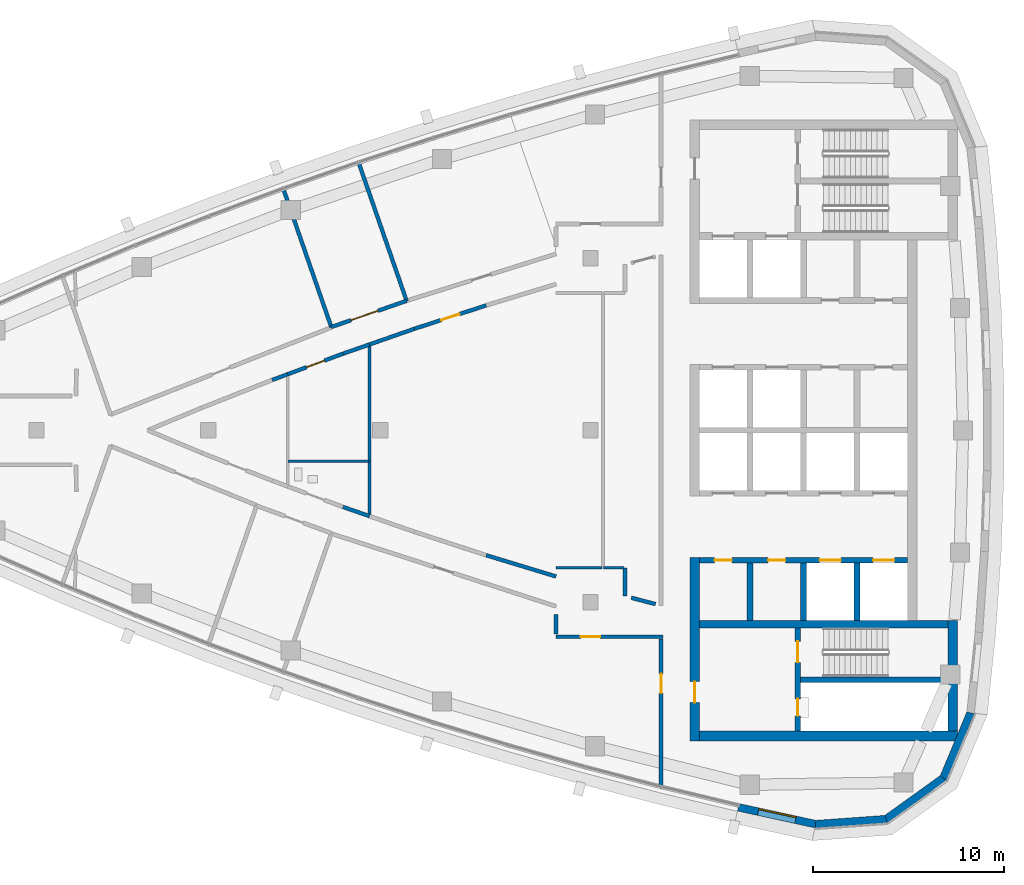
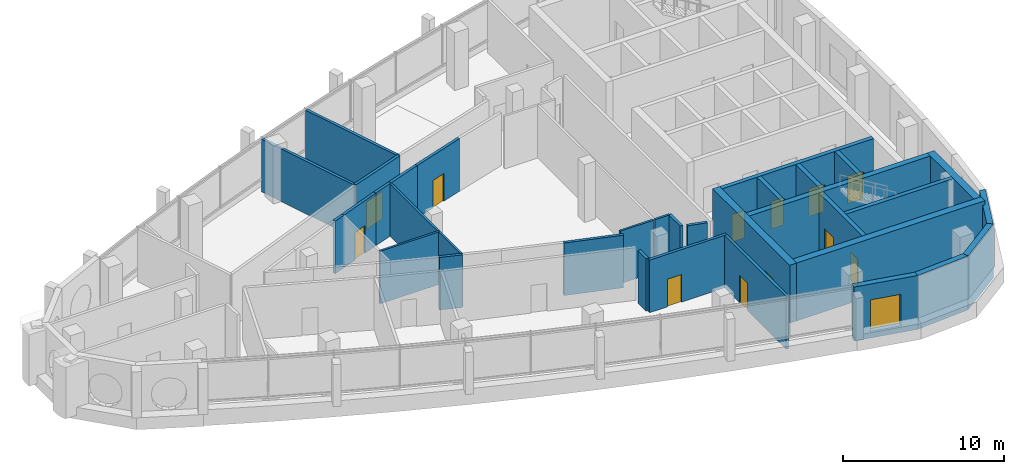
# One storey, part 8 of 15: 33 walls, 12 doors, 1 window, 13 openings.
"""IFC4 building model written with IfcOpenShell, lengths in metres."""

from ifc_helpers import new_model, si_unit, direction, frame, frame_2d, origin, place, context, subcontext, project, spatial, polyline, rectangle, outline, extrude, material, layer, layer_set, type_object, element, fill, save


model = new_model("IFC4")

# Units and contexts
model_context = context("Model", 3, precision=1e-05, world=origin(), true_north=direction((0.0, 1.0)))
body_context = subcontext(model_context, "Body", "Model", "MODEL_VIEW")
ifc_project = project(units=[si_unit("LENGTHUNIT", "METRE"), si_unit("AREAUNIT", "SQUARE_METRE"), si_unit("VOLUMEUNIT", "CUBIC_METRE"), si_unit("PLANEANGLEUNIT", "RADIAN"), si_unit("MASSUNIT", "GRAM", prefix="KILO")], contexts=[model_context])

# Site, building, storey
site_placement = place(None, origin())
site = spatial("IfcSite", under=ifc_project, at=site_placement, CompositionType="ELEMENT")
building_placement = place(site_placement, origin())
building = spatial("IfcBuilding", under=site, at=building_placement, Name="Ostrand Prow Hotel Tower", CompositionType="ELEMENT")
storey_placement = place(building_placement, frame((0.0, 0.0, 318.60009765625)))
storey = spatial("IfcBuildingStorey", under=building, at=storey_placement, Name="C3", CompositionType="ELEMENT", Elevation=318.60009765625)

# Wall, openings, doors
ifc_material_1 = material(Name="Concrete C40/50", Category="concrete")
ifc_layer_1 = layer(ifc_material_1, 0.300048828125)
ifc_layer_set_1 = layer_set([ifc_layer_1], Name="Concrete C40/50")
wall_type_1 = type_object("IfcWallType", Name="Core wall 300 C40/50", PredefinedType="SHEAR", material=ifc_layer_set_1)
wall_1_placement = place(storey_placement, frame((50.699951171875, -6.800048828125, 0.0), z_axis=(0.0, 0.0, 1.0), x_axis=(1.0, 0.0, 0.0)))
wall_1 = element("IfcWall", 1, at=wall_1_placement, inside=storey, type_object=wall_type_1, Name="Core wall PW-L2-S", PredefinedType="SHEAR", context=body_context, shape_type="SweptSolid", body=[
    extrude(rectangle(XDim=10.900146484375, YDim=0.300048828125, at=frame_2d((5.4501953125, 0.0))), origin(), (0.0, 0.0, 1.0), 4.39990234375),
])
opening_1_placement = place(wall_1_placement, frame((6.300048828125, 0.0, 0.0)))
opening_1 = element("IfcOpeningElement", 2, at=opening_1_placement, cuts=wall_1, Name="Opening LD", PredefinedType="OPENING", context=body_context, shape_type="SweptSolid", body=[
    extrude(rectangle(XDim=1.10009765625, YDim=2.10009765625, at=frame_2d((0.550048828125, 1.050048828125))), frame((0.0, 0.159912109375, 0.0), z_axis=(0.0, -1.0, 0.0), x_axis=(1.0, 0.0, 0.0)), (0.0, 0.0, 1.0), 0.320068359375),
])
opening_2_placement = place(wall_1_placement, frame((9.10009765625, 0.0, 0.0)))
opening_2 = element("IfcOpeningElement", 3, at=opening_2_placement, cuts=wall_1, Name="Opening LD", PredefinedType="OPENING", context=body_context, shape_type="SweptSolid", body=[
    extrude(rectangle(XDim=1.10009765625, YDim=2.10009765625, at=frame_2d((0.550048828125, 1.050048828125))), frame((0.0, 0.159912109375, 0.0), z_axis=(0.0, -1.0, 0.0), x_axis=(1.0, 0.0, 0.0)), (0.0, 0.0, 1.0), 0.320068359375),
])
opening_3_placement = place(wall_1_placement, frame((0.800048828125, 0.0, 0.0)))
opening_3 = element("IfcOpeningElement", 4, at=opening_3_placement, cuts=wall_1, Name="Opening FD2", PredefinedType="OPENING", context=body_context, shape_type="SweptSolid", body=[
    extrude(rectangle(XDim=0.89990234375, YDim=2.10009765625, at=frame_2d((0.449951171875, 1.050048828125))), frame((0.0, 0.159912109375, 0.0), z_axis=(0.0, -1.0, 0.0), x_axis=(1.0, 0.0, 0.0)), (0.0, 0.0, 1.0), 0.320068359375),
])
opening_4_placement = place(wall_1_placement, frame((3.60009765625, 0.0, 0.0)))
opening_4 = element("IfcOpeningElement", 5, at=opening_4_placement, cuts=wall_1, Name="Opening FD2", PredefinedType="OPENING", context=body_context, shape_type="SweptSolid", body=[
    extrude(rectangle(XDim=0.89990234375, YDim=2.10009765625, at=frame_2d((0.449951171875, 1.050048828125))), frame((0.0, 0.159912109375, 0.0), z_axis=(0.0, -1.0, 0.0), x_axis=(1.0, 0.0, 0.0)), (0.0, 0.0, 1.0), 0.320068359375),
])
ifc_material_2 = material(Name="Steel fire door", Category="steel")
door_type_1 = type_object("IfcDoorType", Name="Fire door 900 EI120", OperationType="SINGLE_SWING_LEFT", PredefinedType="DOOR", material=ifc_material_2)
door_1_placement = place(opening_3_placement, origin())
door_1 = element("IfcDoor", 6, at=door_1_placement, inside=storey, type_object=door_type_1, Name="DOOR", OperationType="SINGLE_SWING_LEFT", OverallHeight=2.10009765625, OverallWidth=0.89990234375, PredefinedType="DOOR", context=body_context, shape_type="SweptSolid", body=[
    extrude(rectangle(XDim=0.89990234375, YDim=2.10009765625, at=frame_2d((0.449951171875, 1.050048828125))), frame((0.0, 0.02490234375, 0.0), z_axis=(0.0, -1.0, 0.0), x_axis=(1.0, 0.0, 0.0)), (0.0, 0.0, 1.0), 0.050048828125),
])
fill(opening_3, door_1)
door_2_placement = place(opening_4_placement, origin())
door_2 = element("IfcDoor", 7, at=door_2_placement, inside=storey, type_object=door_type_1, Name="DOOR", OperationType="SINGLE_SWING_LEFT", OverallHeight=2.10009765625, OverallWidth=0.89990234375, PredefinedType="DOOR", context=body_context, shape_type="SweptSolid", body=[
    extrude(rectangle(XDim=0.89990234375, YDim=2.10009765625, at=frame_2d((0.449951171875, 1.050048828125))), frame((0.0, 0.02490234375, 0.0), z_axis=(0.0, -1.0, 0.0), x_axis=(1.0, 0.0, 0.0)), (0.0, 0.0, 1.0), 0.050048828125),
])
fill(opening_4, door_2)
ifc_material_3 = material(Name="Stainless steel door", Category="steel")
door_type_2 = type_object("IfcDoorType", Name="Lift landing door 1100", OperationType="DOUBLE_DOOR_SLIDING", PredefinedType="DOOR", material=ifc_material_3)
door_3_placement = place(opening_1_placement, origin())
door_3 = element("IfcDoor", 8, at=door_3_placement, inside=storey, type_object=door_type_2, Name="LIFT LANDING DOOR", OperationType="DOUBLE_DOOR_SLIDING", OverallHeight=2.10009765625, OverallWidth=1.10009765625, PredefinedType="DOOR", context=body_context, shape_type="SweptSolid", body=[
    extrude(rectangle(XDim=1.10009765625, YDim=2.10009765625, at=frame_2d((0.550048828125, 1.050048828125))), frame((0.0, 0.02490234375, 0.0), z_axis=(0.0, -1.0, 0.0), x_axis=(1.0, 0.0, 0.0)), (0.0, 0.0, 1.0), 0.050048828125),
])
fill(opening_1, door_3)
door_4_placement = place(opening_2_placement, origin())
door_4 = element("IfcDoor", 9, at=door_4_placement, inside=storey, type_object=door_type_2, Name="LIFT LANDING DOOR", OperationType="DOUBLE_DOOR_SLIDING", OverallHeight=2.10009765625, OverallWidth=1.10009765625, PredefinedType="DOOR", context=body_context, shape_type="SweptSolid", body=[
    extrude(rectangle(XDim=1.10009765625, YDim=2.10009765625, at=frame_2d((0.550048828125, 1.050048828125))), frame((0.0, 0.02490234375, 0.0), z_axis=(0.0, -1.0, 0.0), x_axis=(1.0, 0.0, 0.0)), (0.0, 0.0, 1.0), 0.050048828125),
])
fill(opening_2, door_4)

# Walls
for number, where, z_axis, x_axis, name in (
    (10, (53.35009765625, -9.949951171875, 0.0), (0.0, 0.0, 1.0), (0.0, 1.0, 0.0), "Core wall PW-R1-SA"),
    (11, (56.14990234375, -9.949951171875, 0.0), (0.0, 0.0, 1.0), (0.0, 1.0, 0.0), "Core wall PW-R2-SA"),
    (12, (58.949951171875, -9.949951171875, 0.0), (0.0, 0.0, 1.0), (0.0, 1.0, 0.0), "Core wall PW-R3-SA"),
):
    element("IfcWall", number, at=place(storey_placement, frame(where, z_axis=z_axis, x_axis=x_axis)), inside=storey, type_object=wall_type_1, Name=name, PredefinedType="SHEAR", context=body_context, shape_type="SweptSolid", body=[
        extrude(rectangle(XDim=3.0, YDim=0.300048828125, at=frame_2d((1.5, 0.0))), origin(), (0.0, 0.0, 1.0), 4.39990234375),
    ])

# Wall, openings, doors
wall_2_placement = place(storey_placement, frame((55.85009765625, -15.75, 0.0), z_axis=(0.0, 0.0, 1.0), x_axis=(0.0, 1.0, 0.0)))
wall_2 = element("IfcWall", 13, at=wall_2_placement, inside=storey, type_object=wall_type_1, Name="Core wall PW-VS", PredefinedType="SHEAR", context=body_context, shape_type="SweptSolid", body=[
    extrude(rectangle(XDim=5.39990234375, YDim=0.300048828125, at=frame_2d((2.699951171875, 0.0))), origin(), (0.0, 0.0, 1.0), 4.39990234375),
])
opening_5_placement = place(wall_2_placement, frame((3.60009765625, 0.0, 0.0)))
opening_5 = element("IfcOpeningElement", 14, at=opening_5_placement, cuts=wall_2, Name="Opening FD1", PredefinedType="OPENING", context=body_context, shape_type="SweptSolid", body=[
    extrude(rectangle(XDim=1.10009765625, YDim=2.10009765625, at=frame_2d((0.550048828125, 1.050048828125))), frame((0.0, 0.159912109375, 0.0), z_axis=(0.0, -1.0, 0.0), x_axis=(1.0, 0.0, 0.0)), (0.0, 0.0, 1.0), 0.320068359375),
])
opening_6_placement = place(wall_2_placement, frame((0.800048828125, 0.0, 0.0)))
opening_6 = element("IfcOpeningElement", 15, at=opening_6_placement, cuts=wall_2, Name="Opening FD2", PredefinedType="OPENING", context=body_context, shape_type="SweptSolid", body=[
    extrude(rectangle(XDim=0.89990234375, YDim=2.10009765625, at=frame_2d((0.449951171875, 1.050048828125))), frame((0.0, 0.159912109375, 0.0), z_axis=(0.0, -1.0, 0.0), x_axis=(1.0, 0.0, 0.0)), (0.0, 0.0, 1.0), 0.320068359375),
])
ifc_material_4 = material(Name="Steel fire door", Category="steel")
door_type_3 = type_object("IfcDoorType", Name="Fire door 1100 EI120", OperationType="SINGLE_SWING_RIGHT", PredefinedType="DOOR", material=ifc_material_4)
door_5_placement = place(opening_5_placement, origin())
door_5 = element("IfcDoor", 16, at=door_5_placement, inside=storey, type_object=door_type_3, Name="FIRE DOOR", OperationType="SINGLE_SWING_RIGHT", OverallHeight=2.10009765625, OverallWidth=1.10009765625, PredefinedType="DOOR", context=body_context, shape_type="SweptSolid", body=[
    extrude(rectangle(XDim=1.10009765625, YDim=2.10009765625, at=frame_2d((0.550048828125, 1.050048828125))), frame((0.0, 0.02490234375, 0.0), z_axis=(0.0, -1.0, 0.0), x_axis=(1.0, 0.0, 0.0)), (0.0, 0.0, 1.0), 0.050048828125),
])
fill(opening_5, door_5)
door_6_placement = place(opening_6_placement, origin())
door_6 = element("IfcDoor", 17, at=door_6_placement, inside=storey, type_object=door_type_1, Name="FIRE DOOR", OperationType="SINGLE_SWING_LEFT", OverallHeight=2.10009765625, OverallWidth=0.89990234375, PredefinedType="DOOR", context=body_context, shape_type="SweptSolid", body=[
    extrude(rectangle(XDim=0.89990234375, YDim=2.10009765625, at=frame_2d((0.449951171875, 1.050048828125))), frame((0.0, 0.02490234375, 0.0), z_axis=(0.0, -1.0, 0.0), x_axis=(1.0, 0.0, 0.0)), (0.0, 0.0, 1.0), 0.050048828125),
])
fill(opening_6, door_6)

# Walls
wall_3_placement = place(storey_placement, frame((56.0, -13.050048828125, 0.0), z_axis=(0.0, 0.0, 1.0), x_axis=(1.0, 0.0, 0.0)))
element("IfcWall", 18, at=wall_3_placement, inside=storey, type_object=wall_type_1, Name="Core wall PW-ST2R", PredefinedType="SHEAR", context=body_context, shape_type="SweptSolid", body=[
    extrude(rectangle(XDim=7.719970703125, YDim=0.300048828125, at=frame_2d((3.85986328125, 0.0))), origin(), (0.0, 0.0, 1.0), 4.39990234375),
])
ifc_material_5 = material(Name="Concrete C40/50", Category="concrete")
ifc_layer_2 = layer(ifc_material_5, 0.39990234375)
ifc_layer_set_2 = layer_set([ifc_layer_2], Name="Concrete C40/50")
wall_type_2 = type_object("IfcWallType", Name="Core wall 400 C40/50", PredefinedType="SHEAR", material=ifc_layer_set_2)
wall_4_placement = place(storey_placement, frame((50.699951171875, -10.14990234375, 0.0), z_axis=(0.0, 0.0, 1.0), x_axis=(1.0, 0.0, 0.0)))
element("IfcWall", 19, at=wall_4_placement, inside=storey, type_object=wall_type_2, Name="Core wall PW-BS", PredefinedType="SHEAR", context=body_context, shape_type="SweptSolid", body=[
    extrude(rectangle(XDim=13.02001953125, YDim=0.39990234375, at=frame_2d((6.510009765625, 0.0))), origin(), (0.0, 0.0, 1.0), 4.39990234375),
])

# Wall, opening, door
ifc_material_6 = material(Name="Concrete C40/50", Category="concrete")
ifc_layer_3 = layer(ifc_material_6, 0.5)
ifc_layer_set_3 = layer_set([ifc_layer_3], Name="Concrete C40/50")
wall_type_3 = type_object("IfcWallType", Name="Core wall 500 C40/50", PredefinedType="SHEAR", material=ifc_layer_set_3)
wall_5_placement = place(storey_placement, frame((50.449951171875, -16.25, 0.0), z_axis=(0.0, 0.0, 1.0), x_axis=(0.0, 1.0, 0.0)))
wall_5 = element("IfcWall", 20, at=wall_5_placement, inside=storey, type_object=wall_type_3, Name="Core wall CW-W-S", PredefinedType="SHEAR", context=body_context, shape_type="SweptSolid", body=[
    extrude(rectangle(XDim=9.60009765625, YDim=0.5, at=frame_2d((4.800048828125, 0.0))), origin(), (0.0, 0.0, 1.0), 4.39990234375),
])
opening_7_placement = place(wall_5_placement, frame((2.0, 0.0, 0.0)))
opening_7 = element("IfcOpeningElement", 21, at=opening_7_placement, cuts=wall_5, Name="Opening FD1", PredefinedType="OPENING", context=body_context, shape_type="SweptSolid", body=[
    extrude(rectangle(XDim=1.10009765625, YDim=2.10009765625, at=frame_2d((0.550048828125, 1.050048828125))), frame((0.0, 0.260009765625, 0.0), z_axis=(0.0, -1.0, 0.0), x_axis=(1.0, 0.0, 0.0)), (0.0, 0.0, 1.0), 0.52001953125),
])
door_7_placement = place(opening_7_placement, origin())
door_7 = element("IfcDoor", 22, at=door_7_placement, inside=storey, type_object=door_type_3, Name="FIRE DOOR", OperationType="SINGLE_SWING_RIGHT", OverallHeight=2.10009765625, OverallWidth=1.10009765625, PredefinedType="DOOR", context=body_context, shape_type="SweptSolid", body=[
    extrude(rectangle(XDim=1.10009765625, YDim=2.10009765625, at=frame_2d((0.550048828125, 1.050048828125))), frame((0.0, 0.02490234375, 0.0), z_axis=(0.0, -1.0, 0.0), x_axis=(1.0, 0.0, 0.0)), (0.0, 0.0, 1.0), 0.050048828125),
])
fill(opening_7, door_7)

# Walls
wall_6_placement = place(storey_placement, frame((50.699951171875, -16.0, 0.0), z_axis=(0.0, 0.0, 1.0), x_axis=(1.0, 0.0, 0.0)))
element("IfcWall", 23, at=wall_6_placement, inside=storey, type_object=wall_type_3, Name="Core wall CW-S", PredefinedType="SHEAR", context=body_context, shape_type="SweptSolid", body=[
    extrude(rectangle(XDim=13.52001953125, YDim=0.5, at=frame_2d((6.760009765625, 0.0))), origin(), (0.0, 0.0, 1.0), 4.39990234375),
])
wall_7_placement = place(storey_placement, frame((63.969970703125, -15.75, 0.0), z_axis=(0.0, 0.0, 1.0), x_axis=(0.0, 1.0, 0.0)))
element("IfcWall", 24, at=wall_7_placement, inside=storey, type_object=wall_type_3, Name="Core wall CW-E-S", PredefinedType="SHEAR", context=body_context, shape_type="SweptSolid", body=[
    extrude(rectangle(XDim=5.800048828125, YDim=0.5, at=frame_2d((2.89990234375, 0.0))), origin(), (0.0, 0.0, 1.0), 4.39990234375),
])
ifc_material_7 = material(Name="Plasterboard partition")
ifc_layer_4 = layer(ifc_material_7, 0.14990234375)
ifc_layer_set_4 = layer_set([ifc_layer_4], Name="Plasterboard partition")
wall_type_4 = type_object("IfcWallType", Name="Partition 150 room partition", PredefinedType="PARTITIONING", material=ifc_layer_set_4)
wall_8_placement = place(storey_placement, frame((29.157470703125, -1.617431640625, 0.0), z_axis=(0.0, 0.0, 1.0), x_axis=(1.0, 0.0, 0.0)))
element("IfcWall", 25, at=wall_8_placement, inside=storey, type_object=wall_type_4, Name="ROOM PARTITION", PredefinedType="PARTITIONING", context=body_context, shape_type="SweptSolid", body=[
    extrude(rectangle(XDim=4.275146484375, YDim=0.14990234375, at=frame_2d((2.1376953125, 0.0))), origin(), (0.0, 0.0, 1.0), 4.0),
])
wall_9_placement = place(storey_placement, frame((33.4326171875, -4.4931640625, 0.0), z_axis=(0.0, 0.0, 1.0), x_axis=(0.0, 1.0, 0.0)))
element("IfcWall", 26, at=wall_9_placement, inside=storey, type_object=wall_type_4, Name="ROOM PARTITION", PredefinedType="PARTITIONING", context=body_context, shape_type="SweptSolid", body=[
    extrude(rectangle(XDim=8.986328125, YDim=0.14990234375, at=frame_2d((4.4931640625, 0.0))), origin(), (0.0, 0.0, 1.0), 4.0),
])
wall_10_placement = place(storey_placement, frame((45.6064453125, -7.195068359375, 0.0), z_axis=(0.0, 0.0, 1.0), x_axis=(-1.0, 0.0, 0.0)))
element("IfcWall", 27, at=wall_10_placement, inside=storey, type_object=wall_type_4, Name="ROOM PARTITION", PredefinedType="PARTITIONING", context=body_context, shape_type="SweptSolid", body=[
    extrude(rectangle(XDim=2.407470703125, YDim=0.14990234375, at=frame_2d((1.20361328125, 0.0))), origin(), (0.0, 0.0, 1.0), 4.0),
])
wall_11_placement = place(storey_placement, frame((46.7626953125, -7.19580078125, 0.0), z_axis=(0.0, 0.0, 1.0), x_axis=(-0.999999768405, 0.000680580605, 0.0)))
element("IfcWall", 28, at=wall_11_placement, inside=storey, type_object=wall_type_4, Name="ROOM PARTITION", PredefinedType="PARTITIONING", context=body_context, shape_type="SweptSolid", body=[
    extrude(rectangle(XDim=1.076171875, YDim=0.14990234375, at=frame_2d((0.5380859375, 0.0))), origin(), (0.0, 0.0, 1.0), 4.0),
])

# Wall, opening, door
ifc_material_8 = material(Name="Plasterboard partition")
ifc_layer_5 = layer(ifc_material_8, 0.199951171875)
ifc_layer_set_5 = layer_set([ifc_layer_5], Name="Plasterboard partition")
wall_type_5 = type_object("IfcWallType", Name="Partition 200 corridor wall", PredefinedType="PARTITIONING", material=ifc_layer_set_5)
wall_12_placement = place(storey_placement, frame((35.375732421875, 6.778564453125, 0.0), z_axis=(0.0, 0.0, 1.0), x_axis=(-0.944236129554, -0.329269086986, 0.0)))
wall_12 = element("IfcWall", 29, at=wall_12_placement, inside=storey, type_object=wall_type_5, Name="CORRIDOR WALL", PredefinedType="PARTITIONING", context=body_context, shape_type="SweptSolid", body=[
    extrude(rectangle(XDim=4.17431640625, YDim=0.199951171875, at=frame_2d((2.087158203125, 0.0))), origin(), (0.0, 0.0, 1.0), 4.0),
])
opening_8_placement = place(wall_12_placement, frame((1.587158203125, 0.0, 0.0)))
opening_8 = element("IfcOpeningElement", 30, at=opening_8_placement, cuts=wall_12, Name="Opening D15", PredefinedType="OPENING", context=body_context, shape_type="SweptSolid", body=[
    extrude(rectangle(XDim=1.5, YDim=2.10009765625, at=frame_2d((0.75, 1.050048828125))), frame((0.0, 0.10986328125, 0.0), z_axis=(0.0, -1.0, 0.0), x_axis=(1.0, 0.0, 0.0)), (0.0, 0.0, 1.0), 0.219970703125),
])
ifc_material_9 = material(Name="Timber door leaf", Category="wood")
door_type_4 = type_object("IfcDoorType", Name="Double door 1500", OperationType="DOUBLE_DOOR_SINGLE_SWING", PredefinedType="DOOR", material=ifc_material_9)
door_8_placement = place(opening_8_placement, origin())
door_8 = element("IfcDoor", 31, at=door_8_placement, inside=storey, type_object=door_type_4, Name="DOOR", OperationType="DOUBLE_DOOR_SINGLE_SWING", OverallHeight=2.10009765625, OverallWidth=1.5, PredefinedType="DOOR", context=body_context, shape_type="SweptSolid", body=[
    extrude(rectangle(XDim=1.5, YDim=2.10009765625, at=frame_2d((0.75, 1.050048828125))), frame((0.0, 0.02490234375, 0.0), z_axis=(0.0, -1.0, 0.0), x_axis=(1.0, 0.0, 0.0)), (0.0, 0.0, 1.0), 0.050048828125),
])
fill(opening_8, door_8)

# Walls
wall_13_placement = place(storey_placement, frame((28.3408203125, 2.634033203125, 0.0), z_axis=(0.0, 0.0, 1.0), x_axis=(0.93737299453, 0.348327244305, 0.0)))
element("IfcWall", 32, at=wall_13_placement, inside=storey, type_object=wall_type_5, Name="CORRIDOR WALL", PredefinedType="PARTITIONING", context=body_context, shape_type="SweptSolid", body=[
    extrude(rectangle(XDim=0.87109375, YDim=0.199951171875, at=frame_2d((0.435546875, 0.0))), origin(), (0.0, 0.0, 1.0), 4.0),
])
wall_14_placement = place(storey_placement, frame((33.4326171875, -4.4931640625, 0.0), z_axis=(0.0, 0.0, 1.0), x_axis=(-0.944280867685, 0.329140764605, 0.0)))
element("IfcWall", 33, at=wall_14_placement, inside=storey, type_object=wall_type_5, Name="CORRIDOR WALL", PredefinedType="PARTITIONING", context=body_context, shape_type="SweptSolid", body=[
    extrude(rectangle(XDim=1.4658203125, YDim=0.199951171875, at=frame_2d((0.73291015625, 0.0))), origin(), (0.0, 0.0, 1.0), 4.0),
])

# Wall, opening, door
wall_15_placement = place(storey_placement, frame((29.157470703125, 2.9375, 0.0), z_axis=(0.0, 0.0, 1.0), x_axis=(0.937488748575, 0.348015583409, 0.0)))
wall_15 = element("IfcWall", 34, at=wall_15_placement, inside=storey, type_object=wall_type_5, Name="CORRIDOR WALL", PredefinedType="PARTITIONING", context=body_context, shape_type="SweptSolid", body=[
    extrude(rectangle(XDim=3.083984375, YDim=0.199951171875, at=frame_2d((1.5419921875, 0.0))), origin(), (0.0, 0.0, 1.0), 4.0),
])
opening_9_placement = place(wall_15_placement, frame((1.0419921875, 0.0, 0.0)))
opening_9 = element("IfcOpeningElement", 35, at=opening_9_placement, cuts=wall_15, Name="Opening D1", PredefinedType="OPENING", context=body_context, shape_type="SweptSolid", body=[
    extrude(rectangle(XDim=1.0, YDim=2.10009765625, at=frame_2d((0.5, 1.050048828125))), frame((0.0, 0.10986328125, 0.0), z_axis=(0.0, -1.0, 0.0), x_axis=(1.0, 0.0, 0.0)), (0.0, 0.0, 1.0), 0.219970703125),
])
ifc_material_10 = material(Name="Timber door leaf", Category="wood")
door_type_5 = type_object("IfcDoorType", Name="Guest room door 1000", OperationType="SINGLE_SWING_LEFT", PredefinedType="DOOR", material=ifc_material_10)
door_9_placement = place(opening_9_placement, origin())
door_9 = element("IfcDoor", 36, at=door_9_placement, inside=storey, type_object=door_type_5, Name="DOOR", OperationType="SINGLE_SWING_LEFT", OverallHeight=2.10009765625, OverallWidth=1.0, PredefinedType="DOOR", context=body_context, shape_type="SweptSolid", body=[
    extrude(rectangle(XDim=1.0, YDim=2.10009765625, at=frame_2d((0.5, 1.050048828125))), frame((0.0, 0.02490234375, 0.0), z_axis=(0.0, -1.0, 0.0), x_axis=(1.0, 0.0, 0.0)), (0.0, 0.0, 1.0), 0.050048828125),
])
fill(opening_9, door_9)

# Wall
wall_16_placement = place(storey_placement, frame((32.048583984375, 4.0107421875, 0.0), z_axis=(0.0, 0.0, 1.0), x_axis=(0.944280867685, 0.329140764605, 0.0)))
element("IfcWall", 37, at=wall_16_placement, inside=storey, type_object=wall_type_5, Name="CORRIDOR WALL", PredefinedType="PARTITIONING", context=body_context, shape_type="SweptSolid", body=[
    extrude(rectangle(XDim=1.4658203125, YDim=0.199951171875, at=frame_2d((0.73291015625, 0.0))), origin(), (0.0, 0.0, 1.0), 4.0),
])

# Wall, opening, door
wall_17_placement = place(storey_placement, frame((35.783447265625, 5.312744140625, 0.0), z_axis=(0.0, 0.0, 1.0), x_axis=(0.950700567571, 0.310110352648, 0.0)))
wall_17 = element("IfcWall", 38, at=wall_17_placement, inside=storey, type_object=wall_type_5, Name="CORRIDOR WALL", PredefinedType="PARTITIONING", context=body_context, shape_type="SweptSolid", body=[
    extrude(rectangle(XDim=3.955322265625, YDim=0.199951171875, at=frame_2d((1.9775390625, 0.0))), origin(), (0.0, 0.0, 1.0), 4.0),
])
opening_10_placement = place(wall_17_placement, frame((1.4775390625, 0.0, 0.0)))
opening_10 = element("IfcOpeningElement", 39, at=opening_10_placement, cuts=wall_17, Name="Opening D1R", PredefinedType="OPENING", context=body_context, shape_type="SweptSolid", body=[
    extrude(rectangle(XDim=1.0, YDim=2.10009765625, at=frame_2d((0.5, 1.050048828125))), frame((0.0, 0.10986328125, 0.0), z_axis=(0.0, -1.0, 0.0), x_axis=(1.0, 0.0, 0.0)), (0.0, 0.0, 1.0), 0.219970703125),
])
ifc_material_11 = material(Name="Timber door leaf", Category="wood")
door_type_6 = type_object("IfcDoorType", Name="Guest room door 1000 right", OperationType="SINGLE_SWING_RIGHT", PredefinedType="DOOR", material=ifc_material_11)
door_10_placement = place(opening_10_placement, origin())
door_10 = element("IfcDoor", 40, at=door_10_placement, inside=storey, type_object=door_type_6, Name="DOOR", OperationType="SINGLE_SWING_RIGHT", OverallHeight=2.10009765625, OverallWidth=1.0, PredefinedType="DOOR", context=body_context, shape_type="SweptSolid", body=[
    extrude(rectangle(XDim=1.0, YDim=2.10009765625, at=frame_2d((0.5, 1.050048828125))), frame((0.0, 0.02490234375, 0.0), z_axis=(0.0, -1.0, 0.0), x_axis=(1.0, 0.0, 0.0)), (0.0, 0.0, 1.0), 0.050048828125),
])
fill(opening_10, door_10)

# Walls
wall_18_placement = place(storey_placement, frame((43.199951171875, -7.651123046875, 0.0), z_axis=(0.0, 0.0, 1.0), x_axis=(-0.956743485636, 0.290932814743, 0.0)))
element("IfcWall", 41, at=wall_18_placement, inside=storey, type_object=wall_type_5, Name="CORRIDOR WALL", PredefinedType="PARTITIONING", context=body_context, shape_type="SweptSolid", body=[
    extrude(rectangle(XDim=3.821533203125, YDim=0.199951171875, at=frame_2d((1.91064453125, 0.0))), origin(), (0.0, 0.0, 1.0), 4.0),
])
wall_19_placement = place(storey_placement, frame((33.4326171875, 4.4931640625, 0.0), z_axis=(0.0, 0.0, 1.0), x_axis=(0.944259742102, 0.329201366106, 0.0)))
element("IfcWall", 42, at=wall_19_placement, inside=storey, type_object=wall_type_5, Name="CORRIDOR WALL", PredefinedType="PARTITIONING", context=body_context, shape_type="SweptSolid", body=[
    extrude(rectangle(XDim=2.489501953125, YDim=0.199951171875, at=frame_2d((1.24462890625, 0.0))), origin(), (0.0, 0.0, 1.0), 4.0),
])

# Wall, opening, door
wall_20_placement = place(storey_placement, frame((43.198974609375, -10.804931640625, 0.0), z_axis=(0.0, 0.0, 1.0), x_axis=(0.999999999048, -4.3628114e-05, 0.0)))
wall_20 = element("IfcWall", 43, at=wall_20_placement, inside=storey, type_object=wall_type_5, Name="CORRIDOR WALL", PredefinedType="PARTITIONING", context=body_context, shape_type="SweptSolid", body=[
    extrude(rectangle(XDim=5.595947265625, YDim=0.199951171875, at=frame_2d((2.7978515625, 0.0))), origin(), (0.0, 0.0, 1.0), 4.0),
])
opening_11_placement = place(wall_20_placement, frame((1.30078125, 0.0, 0.0)))
opening_11 = element("IfcOpeningElement", 44, at=opening_11_placement, cuts=wall_20, Name="Opening D1R", PredefinedType="OPENING", context=body_context, shape_type="SweptSolid", body=[
    extrude(rectangle(XDim=1.0, YDim=2.10009765625, at=frame_2d((0.5, 1.050048828125))), frame((0.0, 0.10986328125, 0.0), z_axis=(0.0, -1.0, 0.0), x_axis=(1.0, 0.0, 0.0)), (0.0, 0.0, 1.0), 0.219970703125),
])
door_11_placement = place(opening_11_placement, origin())
door_11 = element("IfcDoor", 45, at=door_11_placement, inside=storey, type_object=door_type_6, Name="DOOR", OperationType="SINGLE_SWING_RIGHT", OverallHeight=2.10009765625, OverallWidth=1.0, PredefinedType="DOOR", context=body_context, shape_type="SweptSolid", body=[
    extrude(rectangle(XDim=1.0, YDim=2.10009765625, at=frame_2d((0.5, 1.050048828125))), frame((0.0, 0.02490234375, 0.0), z_axis=(0.0, -1.0, 0.0), x_axis=(1.0, 0.0, 0.0)), (0.0, 0.0, 1.0), 0.050048828125),
])
fill(opening_11, door_11)

# Wall
wall_21_placement = place(storey_placement, frame((48.39990234375, -9.09423828125, 0.0), z_axis=(0.0, 0.0, 1.0), x_axis=(-0.967678694968, 0.252186326563, 0.0)))
element("IfcWall", 46, at=wall_21_placement, inside=storey, type_object=wall_type_5, Name="CORRIDOR WALL", PredefinedType="PARTITIONING", context=body_context, shape_type="SweptSolid", body=[
    extrude(rectangle(XDim=1.307861328125, YDim=0.199951171875, at=frame_2d((0.65380859375, 0.0))), origin(), (0.0, 0.0, 1.0), 4.0),
])

# Wall, opening, door
wall_22_placement = place(storey_placement, frame((48.695068359375, -10.9150390625, 0.0), z_axis=(0.0, 0.0, 1.0), x_axis=(0.0, -1.0, 0.0)))
wall_22 = element("IfcWall", 47, at=wall_22_placement, inside=storey, type_object=wall_type_5, Name="CORRIDOR WALL", PredefinedType="PARTITIONING", context=body_context, shape_type="SweptSolid", body=[
    extrude(rectangle(XDim=7.674072265625, YDim=0.199951171875, at=frame_2d((3.8369140625, 0.0))), origin(), (0.0, 0.0, 1.0), 4.0),
])
opening_12_placement = place(wall_22_placement, frame((1.838134765625, 0.0, 0.0)))
opening_12 = element("IfcOpeningElement", 48, at=opening_12_placement, cuts=wall_22, Name="Opening D1", PredefinedType="OPENING", context=body_context, shape_type="SweptSolid", body=[
    extrude(rectangle(XDim=1.0, YDim=2.10009765625, at=frame_2d((0.5, 1.050048828125))), frame((0.0, 0.10986328125, 0.0), z_axis=(0.0, -1.0, 0.0), x_axis=(1.0, 0.0, 0.0)), (0.0, 0.0, 1.0), 0.219970703125),
])
door_12_placement = place(opening_12_placement, origin())
door_12 = element("IfcDoor", 49, at=door_12_placement, inside=storey, type_object=door_type_5, Name="DOOR", OperationType="SINGLE_SWING_LEFT", OverallHeight=2.10009765625, OverallWidth=1.0, PredefinedType="DOOR", context=body_context, shape_type="SweptSolid", body=[
    extrude(rectangle(XDim=1.0, YDim=2.10009765625, at=frame_2d((0.5, 1.050048828125))), frame((0.0, 0.02490234375, 0.0), z_axis=(0.0, -1.0, 0.0), x_axis=(1.0, 0.0, 0.0)), (0.0, 0.0, 1.0), 0.050048828125),
])
fill(opening_12, door_12)

# Walls
wall_23_placement = place(storey_placement, frame((46.804931640625, -8.666259765625, 0.0), z_axis=(0.0, 0.0, 1.0), x_axis=(-0.001494270289, 0.999998883578, 0.0)))
element("IfcWall", 50, at=wall_23_placement, inside=storey, type_object=wall_type_5, Name="CORRIDOR WALL", PredefinedType="PARTITIONING", context=body_context, shape_type="SweptSolid", body=[
    extrude(rectangle(XDim=1.470458984375, YDim=0.199951171875, at=frame_2d((0.7353515625, 0.0))), origin(), (0.0, 0.0, 1.0), 4.0),
])
wall_24_placement = place(storey_placement, frame((43.199951171875, -10.65478515625, 0.0), z_axis=(0.0, 0.0, 1.0), x_axis=(0.0, 1.0, 0.0)))
element("IfcWall", 51, at=wall_24_placement, inside=storey, type_object=wall_type_5, Name="CORRIDOR WALL", PredefinedType="PARTITIONING", context=body_context, shape_type="SweptSolid", body=[
    extrude(rectangle(XDim=1.022705078125, YDim=0.199951171875, at=frame_2d((0.51123046875, 0.0))), origin(), (0.0, 0.0, 1.0), 4.0),
])
ifc_material_12 = material(Name="Plasterboard partition")
ifc_layer_6 = layer(ifc_material_12, 0.199951171875)
ifc_layer_set_6 = layer_set([ifc_layer_6], Name="Plasterboard partition")
wall_type_6 = type_object("IfcWallType", Name="Partition 200 key partition", PredefinedType="PARTITIONING", material=ifc_layer_set_6)
wall_25_placement = place(storey_placement, frame((31.44091796875, 5.38525390625, 0.0), z_axis=(0.0, 0.0, 1.0), x_axis=(-0.327746961166, 0.944765542051, 0.0)))
element("IfcWall", 52, at=wall_25_placement, inside=storey, type_object=wall_type_6, Name="KEY PARTITION", PredefinedType="PARTITIONING", context=body_context, shape_type="SweptSolid", body=[
    extrude(rectangle(XDim=7.601806640625, YDim=0.199951171875, at=frame_2d((3.80078125, 0.0))), origin(), (0.0, 0.0, 1.0), 4.0),
])
wall_26_placement = place(storey_placement, frame((35.38232421875, 6.759521484375, 0.0), z_axis=(0.0, 0.0, 1.0), x_axis=(-0.327699570064, 0.944781981083, 0.0)))
element("IfcWall", 53, at=wall_26_placement, inside=storey, type_object=wall_type_6, Name="KEY PARTITION", PredefinedType="PARTITIONING", context=body_context, shape_type="SweptSolid", body=[
    extrude(rectangle(XDim=7.601318359375, YDim=0.199951171875, at=frame_2d((3.80078125, 0.0))), origin(), (0.0, 0.0, 1.0), 4.0),
])

# Wall, opening, window
ifc_material_13 = material(Name="Precast concrete C40/50", Category="concrete")
ifc_layer_7 = layer(ifc_material_13, 0.39990234375)
ifc_layer_set_7 = layer_set([ifc_layer_7], Name="Precast concrete C40/50")
wall_type_7 = type_object("IfcWallType", Name="Stone-faced precast wall 400 mm", PredefinedType="NOTDEFINED", material=ifc_layer_set_7)
wall_27_placement = place(storey_placement, frame((52.73828125, -19.73193359375, 0.0), z_axis=(0.0, 0.0, 1.0), x_axis=(0.977020225348, -0.213146614471, 0.0)))
wall_27 = element("IfcWall", 54, at=wall_27_placement, inside=storey, type_object=wall_type_7, Name="Stone-faced wall back 1", PredefinedType="NOTDEFINED", context=body_context, shape_type="SweptSolid", body=[
    extrude(outline(polyline([(0.0, -0.199951171875), (4.170654296875, -0.199951171875), (4.113037109375, 0.199951171875), (0.0, 0.199951171875), (0.0, -0.199951171875)])), origin(), (0.0, 0.0, 1.0), 4.099853515625),
])
opening_13_placement = place(wall_27_placement, frame((1.07080078125, 0.0, 0.5)))
opening_13 = element("IfcOpeningElement", 55, at=opening_13_placement, cuts=wall_27, Name="Opening WL1", PredefinedType="OPENING", context=body_context, shape_type="SweptSolid", body=[
    extrude(rectangle(XDim=2.0, YDim=2.39990234375, at=frame_2d((1.0, 1.199951171875))), frame((0.0, 0.2099609375, 0.0), z_axis=(0.0, -1.0, 0.0), x_axis=(1.0, 0.0, 0.0)), (0.0, 0.0, 1.0), 0.419921875),
])
ifc_material_14 = material(Name="Insulated glass in bronze frame", Category="glass")
window_type = type_object("IfcWindowType", Name="Crown lounge window 2000x2400", PartitioningType="SINGLE_PANEL", PredefinedType="WINDOW", material=ifc_material_14)
window_placement = place(opening_13_placement, origin())
window = element("IfcWindow", 56, at=window_placement, inside=storey, type_object=window_type, Name="Window back 1.1", OverallHeight=2.39990234375, OverallWidth=2.0, PartitioningType="SINGLE_PANEL", PredefinedType="WINDOW", context=body_context, shape_type="SweptSolid", body=[
    extrude(rectangle(XDim=2.0, YDim=2.39990234375, at=frame_2d((1.0, 1.199951171875))), frame((0.0, 0.169921875, 0.0), z_axis=(0.0, -1.0, 0.0), x_axis=(1.0, 0.0, 0.0)), (0.0, 0.0, 1.0), 0.06005859375),
])
fill(opening_13, window)

# Walls
wall_28_placement = place(storey_placement, frame((56.784912109375, -20.61474609375, 0.0), z_axis=(0.0, 0.0, 1.0), x_axis=(0.99746272096, 0.071190731806, 0.0)))
element("IfcWall", 57, at=wall_28_placement, inside=storey, type_object=wall_type_7, Name="Stone-faced wall back 2", PredefinedType="NOTDEFINED", context=body_context, shape_type="SweptSolid", body=[
    extrude(outline(polyline([(-0.02880859375, -0.199951171875), (3.75341796875, -0.199951171875), (3.64013671875, 0.199951171875), (0.02880859375, 0.199951171875), (-0.02880859375, -0.199951171875)])), origin(), (0.0, 0.0, 1.0), 4.099853515625),
])
wall_29_placement = place(storey_placement, frame((60.472412109375, -20.3515625, 0.0), z_axis=(0.0, 0.0, 1.0), x_axis=(0.811962548682, 0.583709533533, 0.0)))
element("IfcWall", 58, at=wall_29_placement, inside=storey, type_object=wall_type_7, Name="Stone-faced wall back 3", PredefinedType="NOTDEFINED", context=body_context, shape_type="SweptSolid", body=[
    extrude(outline(polyline([(-0.056640625, -0.199951171875), (3.753173828125, -0.199951171875), (3.639892578125, 0.199951171875), (0.056640625, 0.199951171875), (-0.056640625, -0.199951171875)])), origin(), (0.0, 0.0, 1.0), 4.099853515625),
])
wall_30_placement = place(storey_placement, frame((63.473876953125, -18.19384765625, 0.0), z_axis=(0.0, 0.0, 1.0), x_axis=(0.385285857918, 0.922797273343, 0.0)))
element("IfcWall", 59, at=wall_30_placement, inside=storey, type_object=wall_type_7, Name="Stone-faced wall back 4", PredefinedType="NOTDEFINED", context=body_context, shape_type="SweptSolid", body=[
    extrude(outline(polyline([(-0.056640625, -0.199951171875), (3.726318359375, -0.199951171875), (3.667236328125, 0.199951171875), (0.056640625, 0.199951171875), (-0.056640625, -0.199951171875)])), origin(), (0.0, 0.0, 1.0), 4.099853515625),
])

save(model, "model.ifc")
